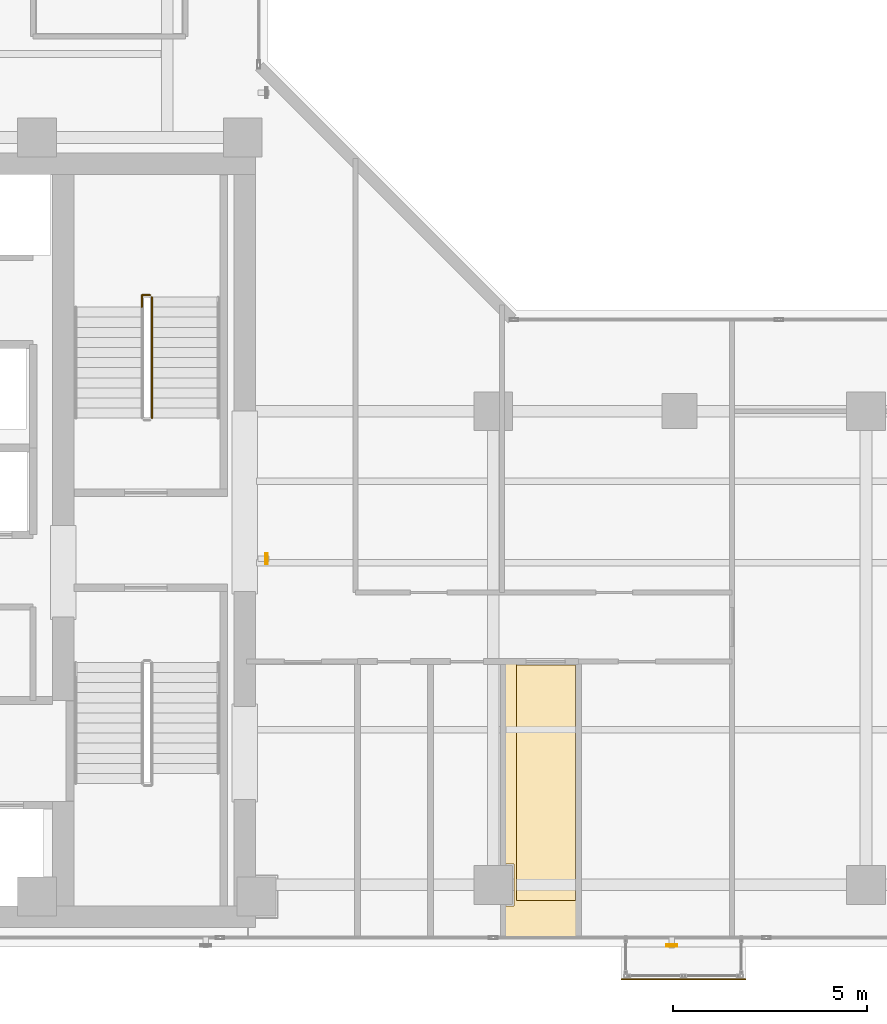
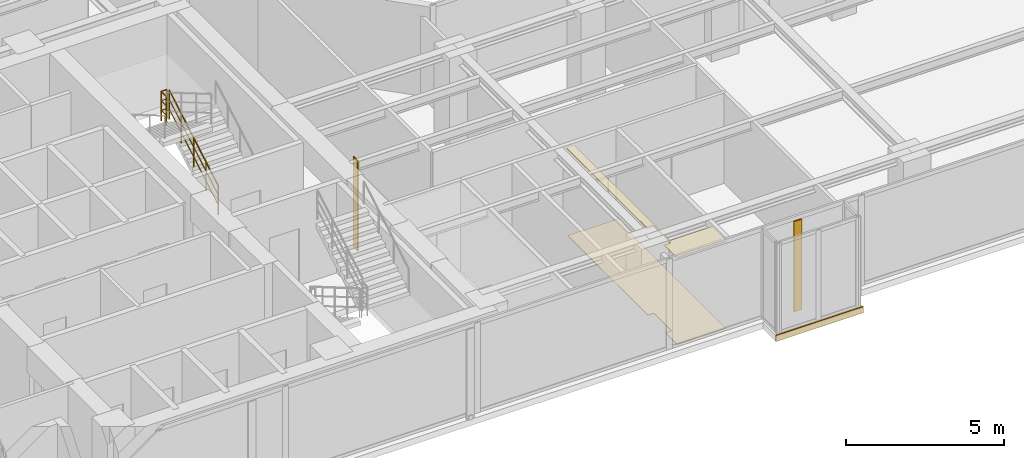
# One storey, part 21 of 22: 3 coverings, 2 railings, 2 shading devices.
"""IFC4 building model written with IfcOpenShell, lengths in metres."""

from ifc_helpers import new_model, si_unit, direction, frame, origin, origin_2d, place, context, subcontext, project, spatial, polyline, rectangle, hollow_rectangle, circle, outline, extrude, material, layer, layer_set, material_profile, profile_set, type_object, element, save


model = new_model("IFC4")

# Units and contexts
model_context = context("Model", 3, precision=1e-05, world=origin(), true_north=direction((0.0, 1.0)))
body_context = subcontext(model_context, "Body", "Model", "MODEL_VIEW")
ifc_project = project(units=[si_unit("LENGTHUNIT", "METRE"), si_unit("AREAUNIT", "SQUARE_METRE"), si_unit("VOLUMEUNIT", "CUBIC_METRE"), si_unit("PLANEANGLEUNIT", "RADIAN"), si_unit("MASSUNIT", "GRAM", prefix="KILO")], contexts=[model_context])

# Site, building, storey
site_placement = place(None, origin())
site = spatial("IfcSite", under=ifc_project, at=site_placement, CompositionType="ELEMENT")
building_placement = place(site_placement, origin())
building = spatial("IfcBuilding", under=site, at=building_placement, Name="Kolvaren Waterfront Exchange", CompositionType="ELEMENT")
storey_placement = place(building_placement, frame((0.0, 0.0, 219.699951171875)))
storey = spatial("IfcBuildingStorey", under=building, at=storey_placement, Name="L56", CompositionType="ELEMENT", Elevation=219.699951171875)

# Coverings
ifc_material_1 = material(Name="Mineral fibre acoustic ceiling tile")
ifc_layer_1 = layer(ifc_material_1, 0.02490234375, Name="Mineral fibre acoustic ceiling tile")
ifc_layer_set_1 = layer_set([ifc_layer_1], Name="Mineral fibre acoustic ceiling tile")
covering_type_1 = type_object("IfcCoveringType", Name="ARC-CEIL-ACOUSTIC-25", PredefinedType="CEILING", material=ifc_layer_set_1)
covering_1_placement = place(storey_placement, frame((0.0, 0.0, 3.385009765625)))
element("IfcCovering", 1, at=covering_1_placement, inside=storey, type_object=covering_type_1, Name="L56 acoustic suspended ceiling 2", PredefinedType="CEILING", context=body_context, shape_type="SweptSolid", body=[
    extrude(outline(polyline([(27.5048828125, 5.739990234375), (27.739990234375, 5.739990234375), (27.739990234375, 4.659912109375), (27.5048828125, 4.659912109375), (27.5048828125, 3.864990234375), (29.35498046875, 3.864990234375), (29.35498046875, 4.800048828125), (27.800048828125, 4.800048828125), (27.800048828125, 10.89501953125), (27.5048828125, 10.89501953125), (27.5048828125, 5.739990234375)])), origin(), (0.0, 0.0, 1.0), 0.025146484375),
])
ifc_material_2 = material(Name="Anodised bronze fascia aluminium", Category="aluminium")
ifc_layer_2 = layer(ifc_material_2, 0.034912109375, Name="Anodised bronze fascia aluminium")
ifc_layer_set_2 = layer_set([ifc_layer_2], Name="Anodised bronze fascia aluminium")
covering_type_2 = type_object("IfcCoveringType", Name="ARC-CLAD-BRONZE-35", PredefinedType="CLADDING", material=ifc_layer_set_2)
covering_2_placement = place(storey_placement, frame((32.10009765625, 2.77001953125, -0.2197265625), z_axis=(0.0, 0.0, 1.0), x_axis=(1.0, 0.0, 0.0)))
element("IfcCovering", 2, at=covering_2_placement, inside=storey, type_object=covering_type_2, Name="L56 ribbed anodised bronze bay-box fascia", PredefinedType="CLADDING", context=body_context, shape_type="SweptSolid", body=[
    extrude(rectangle(XDim=3.199951171875, YDim=0.034912109375, at=origin_2d()), origin(), (0.0, 0.0, 1.0), 0.239990234375),
])

# Shading devices
ifc_material_3 = material(Name="Anodised bronze aluminium 6063-T6", Category="aluminium")
ifc_material_profile = material_profile(ifc_material_3, hollow_rectangle(XDim=0.054931640625, YDim=0.280029296875, WallThickness=0.00439453125, at=origin_2d()), Name="BRZ-FIN-280x55x4.5")
ifc_profile_set = profile_set([ifc_material_profile], Name="Anodised bronze aluminium 6063-T6")
shading_device_type = type_object("IfcShadingDeviceType", Name="ARC-FIN-280", PredefinedType="USERDEFINED", material=ifc_profile_set)
for number, where, z_axis, x_axis, name in (
    (3, (31.800048828125, 3.639892578125, 0.0), (0.0, 0.0, 1.0), (0.0, -1.0, 0.0), "L56 anodised bronze solar shading fin FIN-L56-S3"),
    (4, (21.360107421875, 13.60009765625, 0.0), (0.0, 0.0, 1.0), (1.0, 0.0, 0.0), "L56 anodised bronze solar shading fin FIN-L56-E1"),
):
    element("IfcShadingDevice", number, at=place(storey_placement, frame(where, z_axis=z_axis, x_axis=x_axis)), inside=storey, type_object=shading_device_type, Name=name, ObjectType="SOLAR FIN", PredefinedType="USERDEFINED", context=body_context, shape_type="SweptSolid", body=[
        extrude(hollow_rectangle(XDim=0.054931640625, YDim=0.280029296875, WallThickness=0.00439453125, at=origin_2d()), origin(), (0.0, 0.0, 1.0), 3.5),
    ])

# Covering
ifc_material_4 = material(Name="Slip-resistant porcelain tile")
ifc_layer_3 = layer(ifc_material_4, 0.014892578125, Name="Slip-resistant porcelain tile")
ifc_layer_set_3 = layer_set([ifc_layer_3], Name="Slip-resistant porcelain tile")
covering_type_3 = type_object("IfcCoveringType", Name="ARC-FLR-PORC-15", PredefinedType="FLOORING", material=ifc_layer_set_3)
covering_3_placement = place(storey_placement, origin())
element("IfcCovering", 5, at=covering_3_placement, inside=storey, type_object=covering_type_3, Name="L56 floor finish 2", PredefinedType="FLOORING", context=body_context, shape_type="SweptSolid", body=[
    extrude(outline(polyline([(27.5400390625, 4.639892578125), (27.5400390625, 3.89990234375), (29.320068359375, 3.89990234375), (29.320068359375, 10.860107421875), (27.5400390625, 10.860107421875), (27.5400390625, 5.760009765625), (27.760009765625, 5.760009765625), (27.760009765625, 4.639892578125), (27.5400390625, 4.639892578125)])), origin(), (0.0, 0.0, 1.0), 0.01513671875),
])

# Railings
ifc_material_5 = material(Name="Stainless steel 316", Category="steel")
railing_type = type_object("IfcRailingType", Name="ARC-GUARD-STAIR", PredefinedType="GUARDRAIL", material=ifc_material_5)
railing_1_placement = place(storey_placement, frame((18.409912109375, 17.219970703125, 0.152099609375)))
element("IfcRailing", 6, at=railing_1_placement, inside=storey, type_object=railing_type, Name="L56 ST2 stair guard 1", PredefinedType="GUARDRAIL", context=body_context, shape_type="SweptSolid", body=[
    extrude(circle(Radius=0.02392578125, at=origin_2d()), frame((0.0, 0.0, 1.1259765625), z_axis=(0.0, 0.86330811405, 0.504677223793), x_axis=(-1.0, 0.0, 0.0)), (0.0, 0.0, 1.0), 3.6142578125),
    extrude(circle(Radius=0.01611328125, at=origin_2d()), frame((0.0, 0.0, 0.390869140625), z_axis=(0.0, 0.86330811405, 0.504677223793), x_axis=(-1.0, 0.0, 0.0)), (0.0, 0.0, 1.0), 3.6142578125),
    extrude(circle(Radius=0.01611328125, at=origin_2d()), frame((0.0, 0.0, 0.7705078125), z_axis=(0.0, 0.86330811405, 0.504677223793), x_axis=(-1.0, 0.0, 0.0)), (0.0, 0.0, 1.0), 3.6142578125),
    extrude(circle(Radius=0.02099609375, at=origin_2d()), origin(), (0.0, 0.0, 1.0), 1.101806640625),
    extrude(circle(Radius=0.02099609375, at=origin_2d()), frame((0.0, 0.780029296875, 0.4560546875)), (0.0, 0.0, 1.0), 1.101806640625),
    extrude(circle(Radius=0.02099609375, at=origin_2d()), frame((0.0, 1.56005859375, 0.912109375)), (0.0, 0.0, 1.0), 1.101806640625),
    extrude(circle(Radius=0.02099609375, at=origin_2d()), frame((0.0, 2.340087890625, 1.367919921875)), (0.0, 0.0, 1.0), 1.101806640625),
    extrude(circle(Radius=0.02099609375, at=origin_2d()), frame((0.0, 3.1201171875, 1.823974609375)), (0.0, 0.0, 1.0), 1.101806640625),
])
railing_2_placement = place(storey_placement, frame((18.360107421875, 20.389892578125, 1.97607421875)))
element("IfcRailing", 7, at=railing_2_placement, inside=storey, type_object=railing_type, Name="L56 ST2 stair guard 2", PredefinedType="GUARDRAIL", context=body_context, shape_type="SweptSolid", body=[
    extrude(circle(Radius=0.02392578125, at=origin_2d()), frame((0.0, 0.0, 1.1259765625), z_axis=(-1.0, 0.0, 0.0), x_axis=(0.0, -1.0, 0.0)), (0.0, 0.0, 1.0), 0.210205078125),
    extrude(circle(Radius=0.01611328125, at=origin_2d()), frame((0.0, 0.0, 0.390869140625), z_axis=(-1.0, 0.0, 0.0), x_axis=(0.0, -1.0, 0.0)), (0.0, 0.0, 1.0), 0.210205078125),
    extrude(circle(Radius=0.01611328125, at=origin_2d()), frame((0.0, 0.0, 0.7705078125), z_axis=(-1.0, 0.0, 0.0), x_axis=(0.0, -1.0, 0.0)), (0.0, 0.0, 1.0), 0.210205078125),
    extrude(circle(Radius=0.02392578125, at=origin_2d()), frame((-0.210205078125, 0.0, 1.1259765625), z_axis=(0.0, -1.0, 0.0), x_axis=(1.0, 0.0, 0.0)), (0.0, 0.0, 1.0), 0.309814453125),
    extrude(circle(Radius=0.01611328125, at=origin_2d()), frame((-0.210205078125, 0.0, 0.390869140625), z_axis=(0.0, -1.0, 0.0), x_axis=(1.0, 0.0, 0.0)), (0.0, 0.0, 1.0), 0.309814453125),
    extrude(circle(Radius=0.01611328125, at=origin_2d()), frame((-0.210205078125, 0.0, 0.7705078125), z_axis=(0.0, -1.0, 0.0), x_axis=(1.0, 0.0, 0.0)), (0.0, 0.0, 1.0), 0.309814453125),
    extrude(circle(Radius=0.02099609375, at=origin_2d()), origin(), (0.0, 0.0, 1.0), 1.101806640625),
    extrude(circle(Radius=0.02099609375, at=origin_2d()), frame((-0.210205078125, 0.0, 0.0)), (0.0, 0.0, 1.0), 1.101806640625),
    extrude(circle(Radius=0.02099609375, at=origin_2d()), frame((-0.210205078125, -0.309814453125, 0.0)), (0.0, 0.0, 1.0), 1.101806640625),
])

save(model, "model.ifc")
